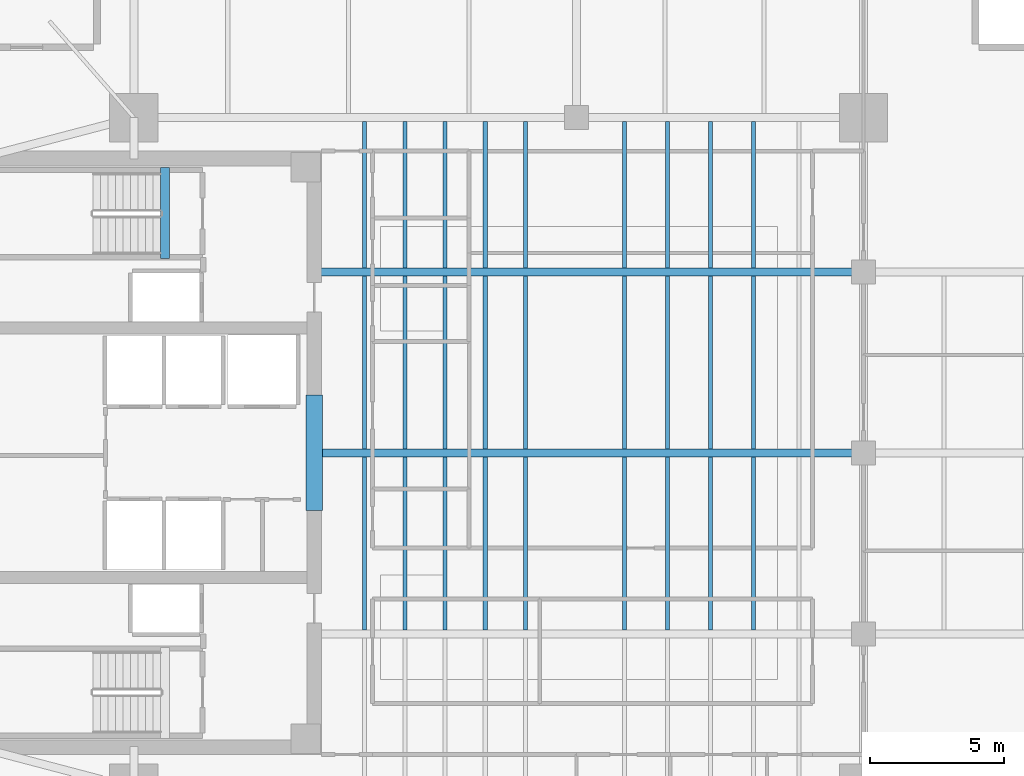
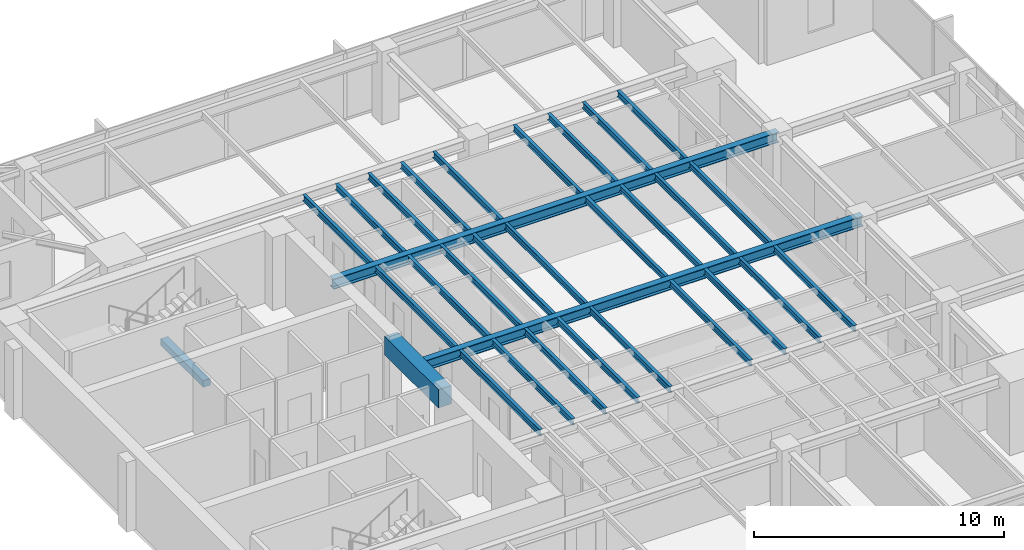
# One storey, part 3 of 14: 31 beams.
"""IFC4 building model written with IfcOpenShell, lengths in metres."""

from ifc_helpers import new_model, si_unit, direction, frame, origin, origin_2d, place, context, subcontext, project, spatial, rectangle, i_section, extrude, material, material_profile, profile_set, type_object, element, save


model = new_model("IFC4")

# Units and contexts
model_context = context("Model", 3, precision=1e-05, world=origin(), true_north=direction((0.0, 1.0)))
body_context = subcontext(model_context, "Body", "Model", "MODEL_VIEW")
ifc_project = project(units=[si_unit("LENGTHUNIT", "METRE"), si_unit("AREAUNIT", "SQUARE_METRE"), si_unit("VOLUMEUNIT", "CUBIC_METRE"), si_unit("PLANEANGLEUNIT", "RADIAN"), si_unit("MASSUNIT", "GRAM", prefix="KILO")], contexts=[model_context])

# Site, building, storey
site_placement = place(None, origin())
site = spatial("IfcSite", under=ifc_project, at=site_placement, CompositionType="ELEMENT")
building_placement = place(site_placement, origin())
building = spatial("IfcBuilding", under=site, at=building_placement, Name="Kinhvarn Gate Tower", CompositionType="ELEMENT")
storey_placement = place(building_placement, frame((0.0, 0.0, 223.550048828125)))
storey = spatial("IfcBuildingStorey", under=building, at=storey_placement, Name="L59", CompositionType="ELEMENT", Elevation=223.550048828125)

# Beams
ifc_material_1 = material(Name="Concrete C60/75", Category="concrete")
ifc_material_profile_1 = material_profile(ifc_material_1, rectangle(XDim=0.60009765625, YDim=0.89990234375, at=origin_2d()), Name="RC 600x900")
ifc_profile_set_1 = profile_set([ifc_material_profile_1], Name="Concrete C60/75")
beam_type_1 = type_object("IfcBeamType", Name="BM-CB-900", PredefinedType="LINTEL", material=ifc_profile_set_1)
beam_1_placement = place(storey_placement, frame((17.72509765625, 23.10009765625, 2.919921875), z_axis=(0.0, 1.0, 0.0), x_axis=(-1.0, 0.0, 0.0)))
element("IfcBeam", 1, at=beam_1_placement, inside=storey, type_object=beam_type_1, Name="Core East Portal Coupling Beam L59", PredefinedType="LINTEL", context=body_context, shape_type="SweptSolid", body=[
    extrude(rectangle(XDim=0.60009765625, YDim=0.89990234375, at=origin_2d()), origin(), (0.0, 0.0, 1.0), 4.2998046875),
])
ifc_material_2 = material(Name="Concrete C50/60", Category="concrete")
ifc_material_profile_2 = material_profile(ifc_material_2, rectangle(XDim=0.340087890625, YDim=0.320068359375, at=origin_2d()), Name="RC 340x320")
ifc_profile_set_2 = profile_set([ifc_material_profile_2], Name="Concrete C50/60")
beam_type_2 = type_object("IfcBeamType", Name="BM-LND-500", PredefinedType="BEAM", material=ifc_profile_set_2)
beam_2_placement = place(storey_placement, frame((12.1650390625, 32.5, -0.16015625), z_axis=(0.0, 1.0, 0.0), x_axis=(-1.0, 0.0, 0.0)))
element("IfcBeam", 2, at=beam_2_placement, inside=storey, type_object=beam_type_2, Name="Stair ST2 Landing Nosing Beam (L59)", PredefinedType="BEAM", context=body_context, shape_type="SweptSolid", body=[
    extrude(rectangle(XDim=0.340087890625, YDim=0.320068359375, at=origin_2d()), origin(), (0.0, 0.0, 1.0), 3.39990234375),
])
ifc_material_3 = material(Name="Steel S355", Category="steel")
ifc_material_profile_3 = material_profile(ifc_material_3, i_section(OverallWidth=0.300048828125, OverallDepth=0.5, WebThickness=0.014404296875, FlangeThickness=0.028076171875, at=origin_2d()), Name="HEB 500")
ifc_profile_set_3 = profile_set([ifc_material_profile_3], Name="Steel S355")
beam_type_3 = type_object("IfcBeamType", Name="STL-HEB500", PredefinedType="BEAM", material=ifc_profile_set_3)
beam_3_placement = place(storey_placement, frame((18.02490234375, 25.25, 3.119873046875), z_axis=(1.0, 0.0, 0.0), x_axis=(0.0, 1.0, 0.0)))
element("IfcBeam", 3, at=beam_3_placement, inside=storey, type_object=beam_type_3, Name="Floor Beam PG-14 (L59 EW1-Y25)", PredefinedType="BEAM", context=body_context, shape_type="SweptSolid", body=[
    extrude(i_section(OverallWidth=0.300048828125, OverallDepth=0.5, WebThickness=0.014404296875, FlangeThickness=0.028076171875, at=origin_2d()), origin(), (0.0, 0.0, 1.0), 20.175048828125),
])
beam_4_placement = place(storey_placement, frame((17.64990234375, 32.0, 3.119873046875), z_axis=(1.0, 0.0, 0.0), x_axis=(0.0, 1.0, 0.0)))
element("IfcBeam", 4, at=beam_4_placement, inside=storey, type_object=beam_type_3, Name="Floor Beam PG-14 (L59 EW1-Y32)", PredefinedType="BEAM", context=body_context, shape_type="SweptSolid", body=[
    extrude(i_section(OverallWidth=0.300048828125, OverallDepth=0.5, WebThickness=0.014404296875, FlangeThickness=0.028076171875, at=origin_2d()), origin(), (0.0, 0.0, 1.0), 20.550048828125),
])
ifc_material_profile_4 = material_profile(ifc_material_3, i_section(OverallWidth=0.14990234375, OverallDepth=0.300048828125, WebThickness=0.007080078125, FlangeThickness=0.0107421875, at=origin_2d()), Name="IPE 300")
ifc_profile_set_4 = profile_set([ifc_material_profile_4], Name="Steel S355")
beam_type_4 = type_object("IfcBeamType", Name="STL-IPE300", PredefinedType="JOIST", material=ifc_profile_set_4)
for number, where, z_axis, x_axis, name in (
    (5, (19.60009765625, 18.64990234375, 3.219970703125), (0.0, 1.0, 0.0), (-1.0, 0.0, 0.0), "Floor Joist SB-02 (L59 JC-X196-1)"),
    (6, (19.60009765625, 25.39990234375, 3.219970703125), (0.0, 1.0, 0.0), (-1.0, 0.0, 0.0), "Floor Joist SB-02 (L59 JC-X196-2)"),
):
    element("IfcBeam", number, at=place(storey_placement, frame(where, z_axis=z_axis, x_axis=x_axis)), inside=storey, type_object=beam_type_4, Name=name, PredefinedType="JOIST", context=body_context, shape_type="SweptSolid", body=[
        extrude(i_section(OverallWidth=0.14990234375, OverallDepth=0.300048828125, WebThickness=0.007080078125, FlangeThickness=0.0107421875, at=origin_2d()), origin(), (0.0, 0.0, 1.0), 6.4501953125),
    ])
beam_5_placement = place(storey_placement, frame((19.60009765625, 32.14990234375, 3.219970703125), z_axis=(0.0, 1.0, 0.0), x_axis=(-1.0, 0.0, 0.0)))
element("IfcBeam", 7, at=beam_5_placement, inside=storey, type_object=beam_type_4, Name="Floor Joist SB-02 (L59 JC-X196-3)", PredefinedType="JOIST", context=body_context, shape_type="SweptSolid", body=[
    extrude(i_section(OverallWidth=0.14990234375, OverallDepth=0.300048828125, WebThickness=0.007080078125, FlangeThickness=0.0107421875, at=origin_2d()), origin(), (0.0, 0.0, 1.0), 5.4501953125),
])
for number, where, z_axis, x_axis, name in (
    (8, (21.10009765625, 18.64990234375, 3.219970703125), (0.0, 1.0, 0.0), (-1.0, 0.0, 0.0), "Floor Joist SB-02 (L59 JC-X211-1)"),
    (9, (21.10009765625, 25.39990234375, 3.219970703125), (0.0, 1.0, 0.0), (-1.0, 0.0, 0.0), "Floor Joist SB-02 (L59 JC-X211-2)"),
):
    element("IfcBeam", number, at=place(storey_placement, frame(where, z_axis=z_axis, x_axis=x_axis)), inside=storey, type_object=beam_type_4, Name=name, PredefinedType="JOIST", context=body_context, shape_type="SweptSolid", body=[
        extrude(i_section(OverallWidth=0.14990234375, OverallDepth=0.300048828125, WebThickness=0.007080078125, FlangeThickness=0.0107421875, at=origin_2d()), origin(), (0.0, 0.0, 1.0), 6.4501953125),
    ])
beam_6_placement = place(storey_placement, frame((21.10009765625, 32.14990234375, 3.219970703125), z_axis=(0.0, 1.0, 0.0), x_axis=(-1.0, 0.0, 0.0)))
element("IfcBeam", 10, at=beam_6_placement, inside=storey, type_object=beam_type_4, Name="Floor Joist SB-02 (L59 JC-X211-3)", PredefinedType="JOIST", context=body_context, shape_type="SweptSolid", body=[
    extrude(i_section(OverallWidth=0.14990234375, OverallDepth=0.300048828125, WebThickness=0.007080078125, FlangeThickness=0.0107421875, at=origin_2d()), origin(), (0.0, 0.0, 1.0), 5.4501953125),
])
for number, where, z_axis, x_axis, name in (
    (11, (22.60009765625, 18.64990234375, 3.219970703125), (0.0, 1.0, 0.0), (-1.0, 0.0, 0.0), "Floor Joist SB-02 (L59 JC-X226-1)"),
    (12, (22.60009765625, 25.39990234375, 3.219970703125), (0.0, 1.0, 0.0), (-1.0, 0.0, 0.0), "Floor Joist SB-02 (L59 JC-X226-2)"),
):
    element("IfcBeam", number, at=place(storey_placement, frame(where, z_axis=z_axis, x_axis=x_axis)), inside=storey, type_object=beam_type_4, Name=name, PredefinedType="JOIST", context=body_context, shape_type="SweptSolid", body=[
        extrude(i_section(OverallWidth=0.14990234375, OverallDepth=0.300048828125, WebThickness=0.007080078125, FlangeThickness=0.0107421875, at=origin_2d()), origin(), (0.0, 0.0, 1.0), 6.4501953125),
    ])
beam_7_placement = place(storey_placement, frame((22.60009765625, 32.14990234375, 3.219970703125), z_axis=(0.0, 1.0, 0.0), x_axis=(-1.0, 0.0, 0.0)))
element("IfcBeam", 13, at=beam_7_placement, inside=storey, type_object=beam_type_4, Name="Floor Joist SB-02 (L59 JC-X226-3)", PredefinedType="JOIST", context=body_context, shape_type="SweptSolid", body=[
    extrude(i_section(OverallWidth=0.14990234375, OverallDepth=0.300048828125, WebThickness=0.007080078125, FlangeThickness=0.0107421875, at=origin_2d()), origin(), (0.0, 0.0, 1.0), 5.4501953125),
])
for number, where, z_axis, x_axis, name in (
    (14, (24.10009765625, 18.64990234375, 3.219970703125), (0.0, 1.0, 0.0), (-1.0, 0.0, 0.0), "Floor Joist SB-02 (L59 JC-X241-1)"),
    (15, (24.10009765625, 25.39990234375, 3.219970703125), (0.0, 1.0, 0.0), (-1.0, 0.0, 0.0), "Floor Joist SB-02 (L59 JC-X241-2)"),
):
    element("IfcBeam", number, at=place(storey_placement, frame(where, z_axis=z_axis, x_axis=x_axis)), inside=storey, type_object=beam_type_4, Name=name, PredefinedType="JOIST", context=body_context, shape_type="SweptSolid", body=[
        extrude(i_section(OverallWidth=0.14990234375, OverallDepth=0.300048828125, WebThickness=0.007080078125, FlangeThickness=0.0107421875, at=origin_2d()), origin(), (0.0, 0.0, 1.0), 6.4501953125),
    ])
beam_8_placement = place(storey_placement, frame((24.10009765625, 32.14990234375, 3.219970703125), z_axis=(0.0, 1.0, 0.0), x_axis=(-1.0, 0.0, 0.0)))
element("IfcBeam", 16, at=beam_8_placement, inside=storey, type_object=beam_type_4, Name="Floor Joist SB-02 (L59 JC-X241-3)", PredefinedType="JOIST", context=body_context, shape_type="SweptSolid", body=[
    extrude(i_section(OverallWidth=0.14990234375, OverallDepth=0.300048828125, WebThickness=0.007080078125, FlangeThickness=0.0107421875, at=origin_2d()), origin(), (0.0, 0.0, 1.0), 5.4501953125),
])
for number, where, z_axis, x_axis, name in (
    (17, (25.60009765625, 18.64990234375, 3.219970703125), (0.0, 1.0, 0.0), (-1.0, 0.0, 0.0), "Floor Joist SB-02 (L59 JC-X256-1)"),
    (18, (25.60009765625, 25.39990234375, 3.219970703125), (0.0, 1.0, 0.0), (-1.0, 0.0, 0.0), "Floor Joist SB-02 (L59 JC-X256-2)"),
):
    element("IfcBeam", number, at=place(storey_placement, frame(where, z_axis=z_axis, x_axis=x_axis)), inside=storey, type_object=beam_type_4, Name=name, PredefinedType="JOIST", context=body_context, shape_type="SweptSolid", body=[
        extrude(i_section(OverallWidth=0.14990234375, OverallDepth=0.300048828125, WebThickness=0.007080078125, FlangeThickness=0.0107421875, at=origin_2d()), origin(), (0.0, 0.0, 1.0), 6.4501953125),
    ])
beam_9_placement = place(storey_placement, frame((25.60009765625, 32.14990234375, 3.219970703125), z_axis=(0.0, 1.0, 0.0), x_axis=(-1.0, 0.0, 0.0)))
element("IfcBeam", 19, at=beam_9_placement, inside=storey, type_object=beam_type_4, Name="Floor Joist SB-02 (L59 JC-X256-3)", PredefinedType="JOIST", context=body_context, shape_type="SweptSolid", body=[
    extrude(i_section(OverallWidth=0.14990234375, OverallDepth=0.300048828125, WebThickness=0.007080078125, FlangeThickness=0.0107421875, at=origin_2d()), origin(), (0.0, 0.0, 1.0), 5.4501953125),
])
for number, where, z_axis, x_axis, name in (
    (20, (29.300048828125, 18.64990234375, 3.219970703125), (0.0, 1.0, 0.0), (-1.0, 0.0, 0.0), "Floor Joist SB-02 (L59 JC-X293-1)"),
    (21, (29.300048828125, 25.39990234375, 3.219970703125), (0.0, 1.0, 0.0), (-1.0, 0.0, 0.0), "Floor Joist SB-02 (L59 JC-X293-2)"),
):
    element("IfcBeam", number, at=place(storey_placement, frame(where, z_axis=z_axis, x_axis=x_axis)), inside=storey, type_object=beam_type_4, Name=name, PredefinedType="JOIST", context=body_context, shape_type="SweptSolid", body=[
        extrude(i_section(OverallWidth=0.14990234375, OverallDepth=0.300048828125, WebThickness=0.007080078125, FlangeThickness=0.0107421875, at=origin_2d()), origin(), (0.0, 0.0, 1.0), 6.4501953125),
    ])
beam_10_placement = place(storey_placement, frame((29.300048828125, 32.14990234375, 3.219970703125), z_axis=(0.0, 1.0, 0.0), x_axis=(-1.0, 0.0, 0.0)))
element("IfcBeam", 22, at=beam_10_placement, inside=storey, type_object=beam_type_4, Name="Floor Joist SB-02 (L59 JC-X293-3)", PredefinedType="JOIST", context=body_context, shape_type="SweptSolid", body=[
    extrude(i_section(OverallWidth=0.14990234375, OverallDepth=0.300048828125, WebThickness=0.007080078125, FlangeThickness=0.0107421875, at=origin_2d()), origin(), (0.0, 0.0, 1.0), 5.4501953125),
])
for number, where, z_axis, x_axis, name in (
    (23, (30.89990234375, 18.64990234375, 3.219970703125), (0.0, 1.0, 0.0), (-1.0, 0.0, 0.0), "Floor Joist SB-02 (L59 JC-X309-1)"),
    (24, (30.89990234375, 25.39990234375, 3.219970703125), (0.0, 1.0, 0.0), (-1.0, 0.0, 0.0), "Floor Joist SB-02 (L59 JC-X309-2)"),
):
    element("IfcBeam", number, at=place(storey_placement, frame(where, z_axis=z_axis, x_axis=x_axis)), inside=storey, type_object=beam_type_4, Name=name, PredefinedType="JOIST", context=body_context, shape_type="SweptSolid", body=[
        extrude(i_section(OverallWidth=0.14990234375, OverallDepth=0.300048828125, WebThickness=0.007080078125, FlangeThickness=0.0107421875, at=origin_2d()), origin(), (0.0, 0.0, 1.0), 6.4501953125),
    ])
beam_11_placement = place(storey_placement, frame((30.89990234375, 32.14990234375, 3.219970703125), z_axis=(0.0, 1.0, 0.0), x_axis=(-1.0, 0.0, 0.0)))
element("IfcBeam", 25, at=beam_11_placement, inside=storey, type_object=beam_type_4, Name="Floor Joist SB-02 (L59 JC-X309-3)", PredefinedType="JOIST", context=body_context, shape_type="SweptSolid", body=[
    extrude(i_section(OverallWidth=0.14990234375, OverallDepth=0.300048828125, WebThickness=0.007080078125, FlangeThickness=0.0107421875, at=origin_2d()), origin(), (0.0, 0.0, 1.0), 5.4501953125),
])
for number, where, z_axis, x_axis, name in (
    (26, (32.5, 18.64990234375, 3.219970703125), (0.0, 1.0, 0.0), (-1.0, 0.0, 0.0), "Floor Joist SB-02 (L59 JC-X325-1)"),
    (27, (32.5, 25.39990234375, 3.219970703125), (0.0, 1.0, 0.0), (-1.0, 0.0, 0.0), "Floor Joist SB-02 (L59 JC-X325-2)"),
):
    element("IfcBeam", number, at=place(storey_placement, frame(where, z_axis=z_axis, x_axis=x_axis)), inside=storey, type_object=beam_type_4, Name=name, PredefinedType="JOIST", context=body_context, shape_type="SweptSolid", body=[
        extrude(i_section(OverallWidth=0.14990234375, OverallDepth=0.300048828125, WebThickness=0.007080078125, FlangeThickness=0.0107421875, at=origin_2d()), origin(), (0.0, 0.0, 1.0), 6.4501953125),
    ])
beam_12_placement = place(storey_placement, frame((32.5, 32.14990234375, 3.219970703125), z_axis=(0.0, 1.0, 0.0), x_axis=(-1.0, 0.0, 0.0)))
element("IfcBeam", 28, at=beam_12_placement, inside=storey, type_object=beam_type_4, Name="Floor Joist SB-02 (L59 JC-X325-3)", PredefinedType="JOIST", context=body_context, shape_type="SweptSolid", body=[
    extrude(i_section(OverallWidth=0.14990234375, OverallDepth=0.300048828125, WebThickness=0.007080078125, FlangeThickness=0.0107421875, at=origin_2d()), origin(), (0.0, 0.0, 1.0), 5.4501953125),
])
for number, where, z_axis, x_axis, name in (
    (29, (34.10009765625, 18.64990234375, 3.219970703125), (0.0, 1.0, 0.0), (-1.0, 0.0, 0.0), "Floor Joist SB-02 (L59 JC-X341-1)"),
    (30, (34.10009765625, 25.39990234375, 3.219970703125), (0.0, 1.0, 0.0), (-1.0, 0.0, 0.0), "Floor Joist SB-02 (L59 JC-X341-2)"),
):
    element("IfcBeam", number, at=place(storey_placement, frame(where, z_axis=z_axis, x_axis=x_axis)), inside=storey, type_object=beam_type_4, Name=name, PredefinedType="JOIST", context=body_context, shape_type="SweptSolid", body=[
        extrude(i_section(OverallWidth=0.14990234375, OverallDepth=0.300048828125, WebThickness=0.007080078125, FlangeThickness=0.0107421875, at=origin_2d()), origin(), (0.0, 0.0, 1.0), 6.4501953125),
    ])
beam_13_placement = place(storey_placement, frame((34.10009765625, 32.14990234375, 3.219970703125), z_axis=(0.0, 1.0, 0.0), x_axis=(-1.0, 0.0, 0.0)))
element("IfcBeam", 31, at=beam_13_placement, inside=storey, type_object=beam_type_4, Name="Floor Joist SB-02 (L59 JC-X341-3)", PredefinedType="JOIST", context=body_context, shape_type="SweptSolid", body=[
    extrude(i_section(OverallWidth=0.14990234375, OverallDepth=0.300048828125, WebThickness=0.007080078125, FlangeThickness=0.0107421875, at=origin_2d()), origin(), (0.0, 0.0, 1.0), 5.4501953125),
])

save(model, "model.ifc")
